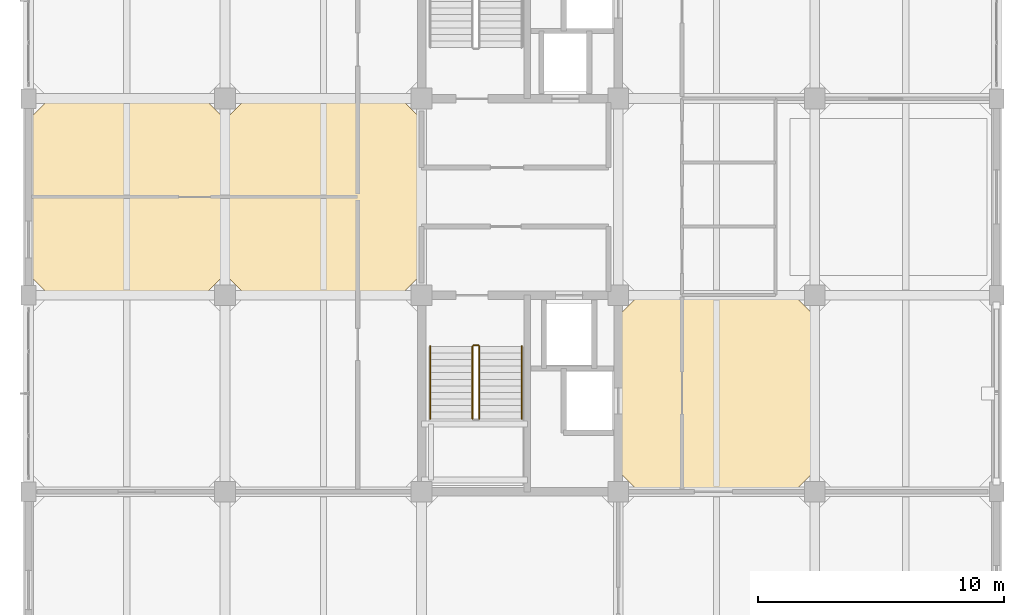
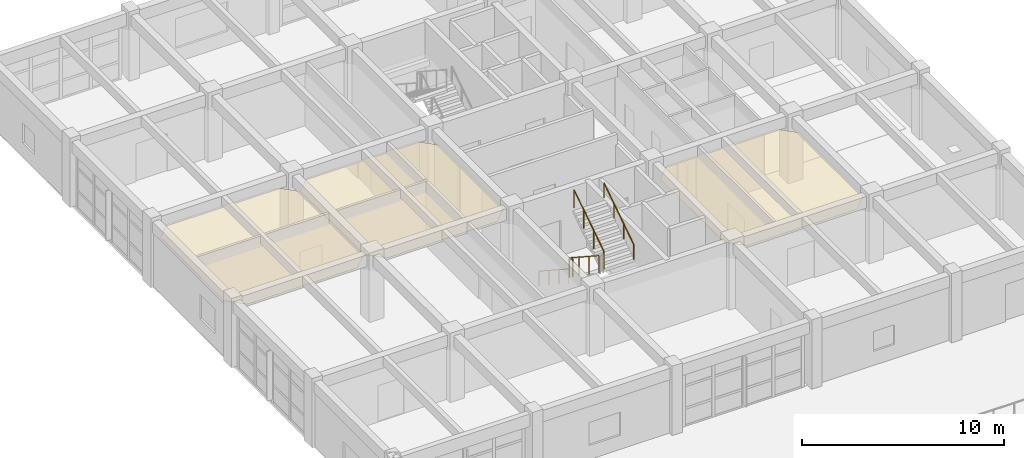
# One storey, part 27 of 30: 5 railings, 3 coverings.
"""IFC4 building model written with IfcOpenShell, lengths in metres."""

import ifcopenshell
import ifcopenshell.guid

model = None  # the IFC model being written
_history = None  # IfcOwnerHistory: only IFC2X3 demands one
_inside = {}  # id of a spatial element -> (the spatial element, [elements in it])
_under = {}  # id of a project, library or spatial element -> (it, [spatial elements below it])
_declared = {}  # id of a project -> (the project, [libraries it declares])
_typed = {}  # id of a type object -> (the type object, [elements of that type])
_made_of = {}  # id of a material, layer set ... -> (it, [elements and type objects made of it])


def new_model(schema):
    """Start an empty IFC model of exactly this schema.

    Asked for "IFC4X3", IfcOpenShell would pick the latest addendum, in which some entities
    have other attributes; the version numbers below select the first issue.
    IFC2X3 requires an IfcOwnerHistory on every rooted entity: one is made here for all.
    """
    global model, _history
    if schema == "IFC4X3":
        model = ifcopenshell.file(schema_version=(4, 3, 0, 0))
    else:
        model = ifcopenshell.file(schema=schema)
    _inside.clear()
    _under.clear()
    _declared.clear()
    _typed.clear()
    _made_of.clear()
    _history = None
    if model.schema == "IFC2X3":
        org = make("IfcOrganization", Name="unknown")
        user = make(
            "IfcPersonAndOrganization",
            ThePerson=make("IfcPerson", FamilyName="unknown"),
            TheOrganization=org,
        )
        app = make(
            "IfcApplication",
            ApplicationDeveloper=org,
            Version="unknown",
            ApplicationFullName="unknown",
            ApplicationIdentifier="unknown",
        )
        _history = make(
            "IfcOwnerHistory",
            OwningUser=user,
            OwningApplication=app,
            ChangeAction="ADDED",
            CreationDate=0,
        )
    return model


def make(cls, **values):
    """One entity of the class cls with the attributes given. An attribute that is None is left unset."""
    return model.create_entity(
        cls, **{name: value for name, value in values.items() if value is not None}
    )


def rooted(cls, **values):
    """An entity with a GlobalId (a new one), such as an element, a storey or a relation."""
    return make(cls, GlobalId=ifcopenshell.guid.new(), OwnerHistory=_history, **values)


def si_unit(unit_type, name, prefix=None):
    """IfcSIUnit, for example si_unit("LENGTHUNIT", "METRE", prefix="MILLI")."""
    return make("IfcSIUnit", UnitType=unit_type, Prefix=prefix, Name=name)


def assignment(units):
    """IfcUnitAssignment: the units of a project."""
    return None if units is None else make("IfcUnitAssignment", Units=units)


def point(xyz):
    """IfcCartesianPoint."""
    return None if xyz is None else make("IfcCartesianPoint", Coordinates=xyz)


def direction(xyz):
    """IfcDirection."""
    return None if xyz is None else make("IfcDirection", DirectionRatios=xyz)


def frame(location, z_axis=None, x_axis=None):
    """IfcAxis2Placement3D, a coordinate frame: its origin and axes. An axis left out is left unset."""
    return make(
        "IfcAxis2Placement3D",
        Location=point(location),
        Axis=direction(z_axis),
        RefDirection=direction(x_axis),
    )


def frame_2d(location, x_axis=None):
    """IfcAxis2Placement2D, a coordinate frame in the plane: its origin and x axis."""
    return make(
        "IfcAxis2Placement2D", Location=point(location), RefDirection=direction(x_axis)
    )


def origin():
    """The frame at (0, 0, 0) with its axes left unset."""
    return frame((0.0, 0.0, 0.0))


def origin_2d():
    """The frame at (0, 0) in the plane with its x axis left unset."""
    return frame_2d((0.0, 0.0))


def place(relative_to, where):
    """IfcLocalPlacement: puts the frame where relative to a parent placement (None: the world)."""
    return make(
        "IfcLocalPlacement", PlacementRelTo=relative_to, RelativePlacement=where
    )


def context(
    kind, dimensions, precision=None, world=None, true_north=None, identifier=None
):
    """IfcGeometricRepresentationContext, for example the 3D "Model" context."""
    return make(
        "IfcGeometricRepresentationContext",
        ContextIdentifier=identifier,
        ContextType=kind,
        CoordinateSpaceDimension=dimensions,
        Precision=precision,
        WorldCoordinateSystem=world,
        TrueNorth=true_north,
    )


def subcontext(parent, identifier, kind, view, scale=None):
    """IfcGeometricRepresentationSubContext, for example "Body" below "Model"."""
    return make(
        "IfcGeometricRepresentationSubContext",
        ContextIdentifier=identifier,
        ContextType=kind,
        ParentContext=parent,
        TargetScale=scale,
        TargetView=view,
    )


def project(units=None, contexts=None):
    """IfcProject with its units and contexts."""
    return rooted(
        "IfcProject",
        Name="project",
        RepresentationContexts=contexts,
        UnitsInContext=assignment(units),
    )


def spatial(cls, under=None, at=None, **own):
    """A site, building, storey or space (cls), placed at a placement, below another one or the project."""
    s = rooted(cls, ObjectPlacement=at, **own)
    if under is not None:
        _under.setdefault(under.id(), (under, []))[1].append(s)
    return s


def polyline(points):
    """IfcPolyline through the points."""
    return make("IfcPolyline", Points=[point(p) for p in points])


def profile(cls, at=None, kind="AREA", **sizes):
    """A parametric profile (cls). Its sizes go by their IFC names, for example OverallWidth=200.0."""
    return make(cls, ProfileType=kind, Position=at, **sizes)


def circle(**sizes):
    """IfcCircleProfileDef."""
    return profile("IfcCircleProfileDef", **sizes)


def outline(outer, holes=None, kind="AREA"):
    """IfcArbitraryClosedProfileDef: a profile drawn as a closed curve; with holes, ...WithVoids."""
    if holes is None:
        return make("IfcArbitraryClosedProfileDef", ProfileType=kind, OuterCurve=outer)
    return make(
        "IfcArbitraryProfileDefWithVoids",
        ProfileType=kind,
        OuterCurve=outer,
        InnerCurves=holes,
    )


def extrude(swept, where, along, depth):
    """IfcExtrudedAreaSolid: the profile swept, set in the frame where, extruded along a direction by depth."""
    return make(
        "IfcExtrudedAreaSolid",
        SweptArea=swept,
        Position=where,
        ExtrudedDirection=direction(along),
        Depth=depth,
    )


def shape(context_of_items, identifier, shape_type, items):
    """IfcShapeRepresentation: the items that make up one representation, for example the "Body"."""
    return make(
        "IfcShapeRepresentation",
        ContextOfItems=context_of_items,
        RepresentationIdentifier=identifier,
        RepresentationType=shape_type,
        Items=items,
    )


def material(Name=None, Category=None):
    """IfcMaterial."""
    return make("IfcMaterial", Name=Name, Category=Category)


def layer(
    of_material, thickness, ventilated=None, Name=None, Category=None, Priority=None
):
    """IfcMaterialLayer: one layer of a wall or slab, of a material (None: an air gap)."""
    return make(
        "IfcMaterialLayer",
        Material=of_material,
        LayerThickness=thickness,
        IsVentilated=ventilated,
        Name=Name,
        Category=Category,
        Priority=Priority,
    )


def layer_set(layers, Name=None):
    """IfcMaterialLayerSet."""
    return make("IfcMaterialLayerSet", MaterialLayers=layers, LayerSetName=Name)


def made_of(thing, what):
    """Note that an element or type object is made of a material, layer set ...; save() writes the relation."""
    if what is not None:
        _made_of.setdefault(what.id(), (what, []))[1].append(thing)
    return thing


def type_object(cls, material=None, **own):
    """A type object (cls), such as IfcWallType, which elements share."""
    return made_of(rooted(cls, **own), material)


def element(
    cls,
    number,
    at=None,
    inside=None,
    cuts=None,
    type_object=None,
    material=None,
    context=None,
    identifier="Body",
    shape_type=None,
    held_by="IfcProductDefinitionShape",
    body=None,
    shapes=None,
    **own,
):
    """One element of the class cls, such as IfcWall. Its Tag is "e" and its number.

    at: its placement. inside: the storey or other place that contains it. cuts: it is an
    opening in that element (IfcRelVoidsElement). A single representation is given by context,
    identifier, shape_type and body (its items); several are given by shapes. held_by: the class
    of the entity that holds the representations. save() writes the other relations.
    """
    e = rooted(cls, Tag="e%d" % number, ObjectPlacement=at, **own)
    if body is not None:
        shapes = [shape(context, identifier, shape_type, body)]
    if shapes is not None:
        e.Representation = make(held_by, Representations=shapes)
    if inside is not None:
        _inside.setdefault(inside.id(), (inside, []))[1].append(e)
    if cuts is not None:
        rooted(
            "IfcRelVoidsElement", RelatingBuildingElement=cuts, RelatedOpeningElement=e
        )
    if type_object is not None:
        _typed.setdefault(type_object.id(), (type_object, []))[1].append(e)
    return made_of(e, material)


def aggregate(whole, parts):
    """IfcRelAggregates: a whole, such as a stair, and the parts it consists of."""
    return rooted("IfcRelAggregates", RelatingObject=whole, RelatedObjects=parts)


def save(model, path):
    """Write the relations noted so far, then the file.

    IfcRelAggregates (storeys below a building ...), IfcRelContainedInSpatialStructure (elements
    in a storey), IfcRelDefinesByType, IfcRelAssociatesMaterial and IfcRelDeclares: one each for
    every whole, place, type object, material and project.
    """
    for whole, parts in _under.values():
        aggregate(whole, parts)
    for where, things in _inside.values():
        rooted(
            "IfcRelContainedInSpatialStructure",
            RelatedElements=things,
            RelatingStructure=where,
        )
    for kind, things in _typed.values():
        rooted("IfcRelDefinesByType", RelatedObjects=things, RelatingType=kind)
    for what, things in _made_of.values():
        rooted("IfcRelAssociatesMaterial", RelatedObjects=things, RelatingMaterial=what)
    for by, libraries in _declared.values():
        rooted("IfcRelDeclares", RelatingContext=by, RelatedDefinitions=libraries)
    model.write(path)


model = new_model("IFC4")

# Units and contexts
model_context = context("Model", 3, precision=1e-05, world=origin(), true_north=direction((0.0, 1.0)))
body_context = subcontext(model_context, "Body", "Model", "MODEL_VIEW")
ifc_project = project(units=[si_unit("LENGTHUNIT", "METRE"), si_unit("AREAUNIT", "SQUARE_METRE"), si_unit("VOLUMEUNIT", "CUBIC_METRE"), si_unit("PLANEANGLEUNIT", "RADIAN"), si_unit("MASSUNIT", "GRAM", prefix="KILO")], contexts=[model_context])

# Site, building, storey
site_placement = place(None, origin())
site = spatial("IfcSite", under=ifc_project, at=site_placement, CompositionType="ELEMENT")
building_placement = place(site_placement, origin())
building = spatial("IfcBuilding", under=site, at=building_placement, Name="Canggui Botanical Conservatory", CompositionType="ELEMENT")
storey_placement = place(building_placement, frame((0.0, 0.0, 27.60009765625)))
storey = spatial("IfcBuildingStorey", under=building, at=storey_placement, Name="L07", CompositionType="ELEMENT", Elevation=27.60009765625)

# Coverings
ifc_material_1 = material(Name="Mineral Fibre Acoustic Board")
ifc_layer_1 = layer(ifc_material_1, 0.014892578125, Name="Mineral Fibre Acoustic Board")
ifc_layer_set_1 = layer_set([ifc_layer_1], Name="Mineral Fibre Acoustic Board")
covering_type_1 = type_object("IfcCoveringType", Name="COV-CEIL-15", PredefinedType="CEILING", material=ifc_layer_set_1)
covering_1_placement = place(storey_placement, frame((0.0, 0.0, 3.19482421875)))
element("IfcCovering", 1, at=covering_1_placement, inside=storey, type_object=covering_type_1, Name="Suspended Acoustic Ceiling L07-138-50", PredefinedType="CEILING", context=body_context, shape_type="SweptSolid", body=[
    extrude(outline(polyline([(138.85009765625, 50.0), (145.14990234375, 50.0), (146.0, 50.85009765625), (146.0, 57.14990234375), (145.14990234375, 58.0), (138.85009765625, 58.0), (138.0, 57.14990234375), (138.0, 50.85009765625), (138.85009765625, 50.0)])), origin(), (0.0, 0.0, 1.0), 0.01513671875),
])
covering_2_placement = place(storey_placement, frame((0.0, 0.0, 3.19482421875)))
element("IfcCovering", 2, at=covering_2_placement, inside=storey, type_object=covering_type_1, Name="Suspended Acoustic Ceiling L07-162-42", PredefinedType="CEILING", context=body_context, shape_type="SweptSolid", body=[
    extrude(outline(polyline([(162.85009765625, 42.0), (169.14990234375, 42.0), (170.0, 42.85009765625), (170.0, 49.14990234375), (169.14990234375, 50.0), (162.85009765625, 50.0), (162.0, 49.14990234375), (162.0, 42.85009765625), (162.85009765625, 42.0)])), origin(), (0.0, 0.0, 1.0), 0.01513671875),
])
ifc_material_2 = material(Name="Perforated Gypsum Acoustic Panel")
ifc_layer_2 = layer(ifc_material_2, 0.02001953125, Name="Perforated Gypsum Acoustic Panel")
ifc_layer_set_2 = layer_set([ifc_layer_2], Name="Perforated Gypsum Acoustic Panel")
covering_type_2 = type_object("IfcCoveringType", Name="COV-CEIL-20", PredefinedType="CEILING", material=ifc_layer_set_2)
covering_3_placement = place(storey_placement, frame((0.0, 0.0, 3.18994140625)))
element("IfcCovering", 3, at=covering_3_placement, inside=storey, type_object=covering_type_2, Name="Suspended Acoustic Ceiling L07-146-50", PredefinedType="CEILING", context=body_context, shape_type="SweptSolid", body=[
    extrude(outline(polyline([(146.85009765625, 50.0), (153.14990234375, 50.0), (154.0, 50.85009765625), (154.0, 57.14990234375), (153.14990234375, 58.0), (146.85009765625, 58.0), (146.0, 57.14990234375), (146.0, 50.85009765625), (146.85009765625, 50.0)])), origin(), (0.0, 0.0, 1.0), 0.02001953125),
])

# Railings
ifc_material_3 = material(Name="Stainless Steel 304", Category="steel")
railing_type_1 = type_object("IfcRailingType", Name="RAIL-GUARD-1100", PredefinedType="BALUSTRADE", material=ifc_material_3)
railing_1_placement = place(storey_placement, frame((156.070068359375, 47.919921875, 0.1748046875)))
element("IfcRailing", 4, at=railing_1_placement, inside=storey, type_object=railing_type_1, Name="L07 ST-T1 stair guard 1", PredefinedType="BALUSTRADE", context=body_context, shape_type="SweptSolid", body=[
    extrude(circle(Radius=0.02392578125, at=origin_2d()), frame((0.0, 0.0, 1.076171875), z_axis=(0.0, -0.837293178872, 0.54675417933), x_axis=(1.0, 0.0, 0.0)), (0.0, 0.0, 1.0), 3.520751953125),
    extrude(circle(Radius=0.02099609375, at=origin_2d()), origin(), (0.0, 0.0, 1.0), 1.052001953125),
    extrude(circle(Radius=0.02099609375, at=origin_2d()), frame((0.0, -0.982666015625, 0.6416015625)), (0.0, 0.0, 1.0), 1.052001953125),
    extrude(circle(Radius=0.02099609375, at=origin_2d()), frame((0.0, -1.96533203125, 1.283447265625)), (0.0, 0.0, 1.0), 1.052001953125),
    extrude(circle(Radius=0.02099609375, at=origin_2d()), frame((0.0, -2.947998046875, 1.925048828125)), (0.0, 0.0, 1.0), 1.052001953125),
])
railing_2_placement = place(storey_placement, frame((156.35009765625, 44.971923828125, 2.27490234375)))
element("IfcRailing", 5, at=railing_2_placement, inside=storey, type_object=railing_type_1, Name="L07 ST-T1 stair guard 3", PredefinedType="BALUSTRADE", context=body_context, shape_type="SweptSolid", body=[
    extrude(circle(Radius=0.02392578125, at=origin_2d()), frame((0.0, 0.0, 1.076171875), z_axis=(0.0, 0.837293178872, 0.54675417933), x_axis=(-1.0, 0.0, 0.0)), (0.0, 0.0, 1.0), 3.520751953125),
    extrude(circle(Radius=0.02099609375, at=origin_2d()), origin(), (0.0, 0.0, 1.0), 1.052001953125),
    extrude(circle(Radius=0.02099609375, at=origin_2d()), frame((0.0, 0.982666015625, 0.6416015625)), (0.0, 0.0, 1.0), 1.052001953125),
    extrude(circle(Radius=0.02099609375, at=origin_2d()), frame((0.0, 1.96533203125, 1.283447265625)), (0.0, 0.0, 1.0), 1.052001953125),
    extrude(circle(Radius=0.02099609375, at=origin_2d()), frame((0.0, 2.947998046875, 1.925048828125)), (0.0, 0.0, 1.0), 1.052001953125),
])
railing_3_placement = place(storey_placement, frame((156.1201171875, 47.969970703125, 0.0)))
element("IfcRailing", 6, at=railing_3_placement, inside=storey, type_object=railing_type_1, Name="L07 ST-T1 stair guard 4", PredefinedType="BALUSTRADE", context=body_context, shape_type="SweptSolid", body=[
    extrude(circle(Radius=0.02392578125, at=origin_2d()), frame((0.0, 0.0, 1.076171875), z_axis=(1.0, 0.0, 0.0), x_axis=(0.0, 1.0, 0.0)), (0.0, 0.0, 1.0), 0.179931640625),
    extrude(circle(Radius=0.02099609375, at=origin_2d()), origin(), (0.0, 0.0, 1.0), 1.052001953125),
    extrude(circle(Radius=0.02099609375, at=origin_2d()), frame((0.179931640625, 0.0, 0.0)), (0.0, 0.0, 1.0), 1.052001953125),
])
railing_type_2 = type_object("IfcRailingType", Name="RAIL-HAND-900", PredefinedType="HANDRAIL", material=ifc_material_3)
railing_4_placement = place(storey_placement, frame((154.35009765625, 47.919921875, 0.1748046875)))
element("IfcRailing", 7, at=railing_4_placement, inside=storey, type_object=railing_type_2, Name="L07 ST-T1 stair handrail 1", PredefinedType="HANDRAIL", context=body_context, shape_type="SweptSolid", body=[
    extrude(circle(Radius=0.02392578125, at=origin_2d()), frame((0.0, 0.0, 0.8759765625), z_axis=(0.0, -0.837293178872, 0.54675417933), x_axis=(1.0, 0.0, 0.0)), (0.0, 0.0, 1.0), 3.520751953125),
    extrude(circle(Radius=0.02099609375, at=origin_2d()), origin(), (0.0, 0.0, 1.0), 0.851806640625),
    extrude(circle(Radius=0.02099609375, at=origin_2d()), frame((0.0, -0.982666015625, 0.6416015625)), (0.0, 0.0, 1.0), 0.851806640625),
    extrude(circle(Radius=0.02099609375, at=origin_2d()), frame((0.0, -1.96533203125, 1.283447265625)), (0.0, 0.0, 1.0), 0.851806640625),
    extrude(circle(Radius=0.02099609375, at=origin_2d()), frame((0.0, -2.947998046875, 1.925048828125)), (0.0, 0.0, 1.0), 0.851806640625),
])
railing_5_placement = place(storey_placement, frame((158.070068359375, 44.971923828125, 2.27490234375)))
element("IfcRailing", 8, at=railing_5_placement, inside=storey, type_object=railing_type_2, Name="L07 ST-T1 stair handrail 2", PredefinedType="HANDRAIL", context=body_context, shape_type="SweptSolid", body=[
    extrude(circle(Radius=0.02392578125, at=origin_2d()), frame((0.0, 0.0, 0.8759765625), z_axis=(0.0, 0.837293178872, 0.54675417933), x_axis=(-1.0, 0.0, 0.0)), (0.0, 0.0, 1.0), 3.520751953125),
    extrude(circle(Radius=0.02099609375, at=origin_2d()), origin(), (0.0, 0.0, 1.0), 0.851806640625),
    extrude(circle(Radius=0.02099609375, at=origin_2d()), frame((0.0, 0.982666015625, 0.6416015625)), (0.0, 0.0, 1.0), 0.851806640625),
    extrude(circle(Radius=0.02099609375, at=origin_2d()), frame((0.0, 1.96533203125, 1.283447265625)), (0.0, 0.0, 1.0), 0.851806640625),
    extrude(circle(Radius=0.02099609375, at=origin_2d()), frame((0.0, 2.947998046875, 1.925048828125)), (0.0, 0.0, 1.0), 0.851806640625),
])

save(model, "model.ifc")
